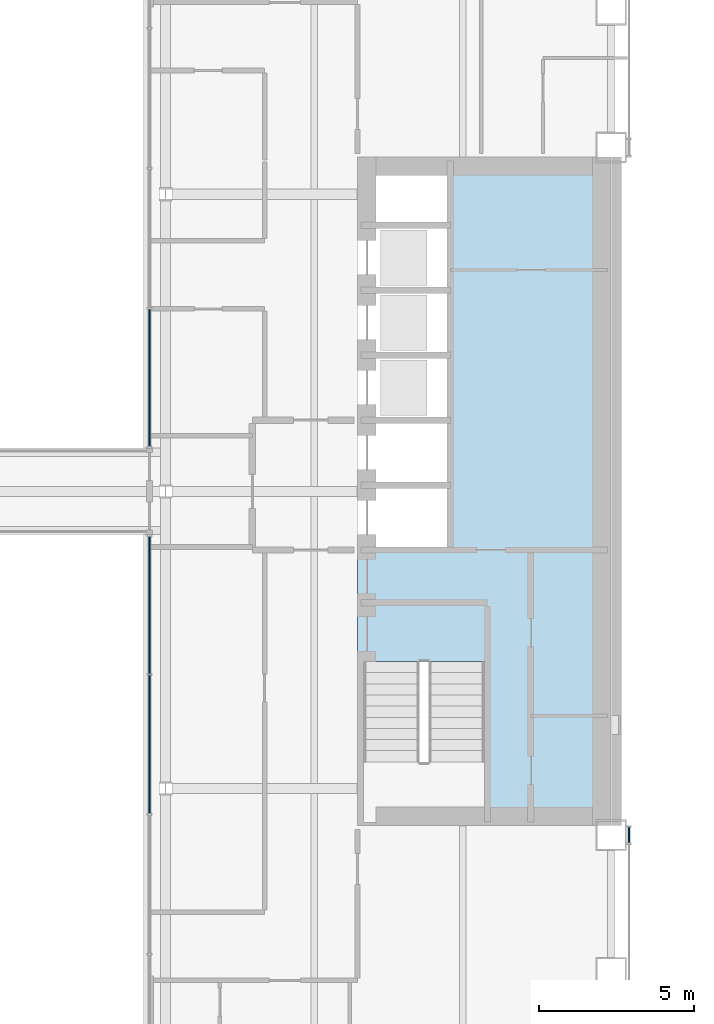
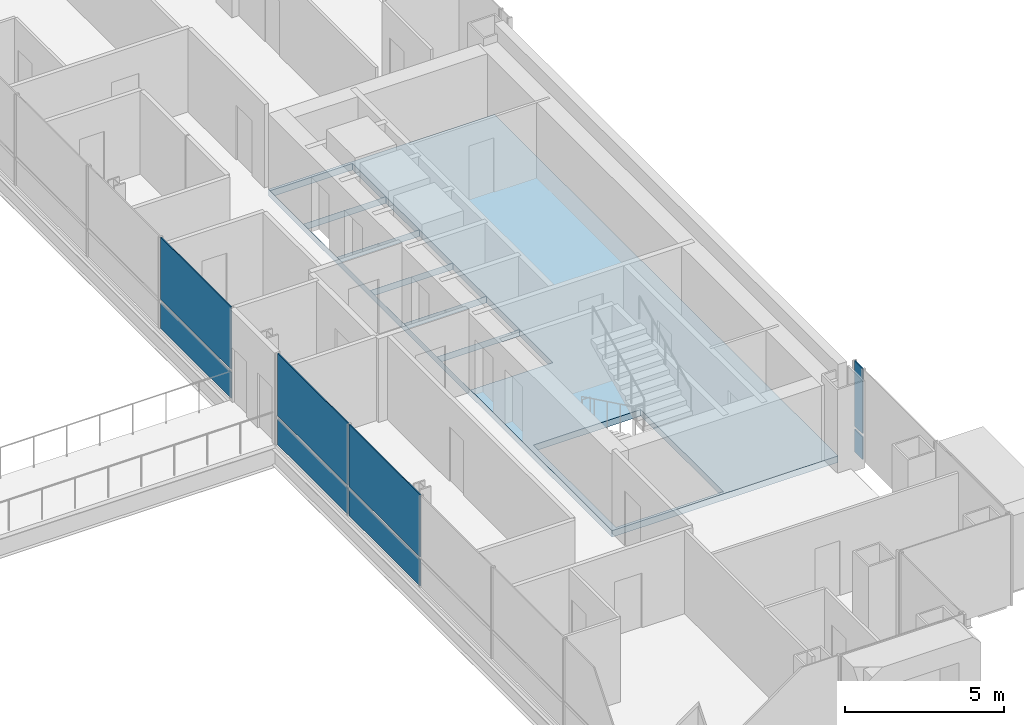
# One storey, part 11 of 21: 8 plates, 1 slab, 3 elements without a shape of their own.
"""IFC4 building model written with IfcOpenShell, lengths in metres."""

from ifc_helpers import new_model, si_unit, direction, frame, origin, origin_2d, place, context, subcontext, project, spatial, polyline, rectangle, outline, extrude, material, layer, layer_set, type_object, element, aggregate, save


model = new_model("IFC4")

# Units and contexts
model_context = context("Model", 3, precision=1e-05, world=origin(), true_north=direction((0.0, 1.0)))
body_context = subcontext(model_context, "Body", "Model", "MODEL_VIEW")
ifc_project = project(units=[si_unit("LENGTHUNIT", "METRE"), si_unit("AREAUNIT", "SQUARE_METRE"), si_unit("VOLUMEUNIT", "CUBIC_METRE"), si_unit("PLANEANGLEUNIT", "RADIAN"), si_unit("MASSUNIT", "GRAM", prefix="KILO")], contexts=[model_context])

# Site, building, storey
site_placement = place(None, origin())
site = spatial("IfcSite", under=ifc_project, at=site_placement, CompositionType="ELEMENT")
building_placement = place(site_placement, origin())
building = spatial("IfcBuilding", under=site, at=building_placement, Name="Cobrizo Arcos Hotel Tower", CompositionType="ELEMENT")
storey_placement = place(building_placement, frame((0.0, 0.0, 81.0)))
storey = spatial("IfcBuildingStorey", under=building, at=storey_placement, Name="L19", CompositionType="ELEMENT", Elevation=81.0)

# Curtain wall, plates
ifc_material_1 = material(Name="Aluminium 6063-T6 anodised bronze", Category="aluminium")
curtain_wall_type_1 = type_object("IfcCurtainWallType", Name="CW-A guest facade", PredefinedType="NOTDEFINED", material=ifc_material_1)
curtain_wall_1_placement = place(storey_placement, origin())
curtain_wall_1 = element("IfcCurtainWall", 1, at=curtain_wall_1_placement, inside=storey, type_object=curtain_wall_type_1, Name="CW-A L19 E face", PredefinedType="NOTDEFINED")
ifc_material_2 = material(Name="Glass clear laminated low-e", Category="glass")
ifc_layer_1 = layer(ifc_material_2, 0.0400390625)
ifc_layer_set_1 = layer_set([ifc_layer_1], Name="CW-A glass panel")
plate_type_1 = type_object("IfcPlateType", Name="CW-A glass panel", PredefinedType="CURTAIN_PANEL", material=ifc_layer_set_1)
plate_1_placement = place(storey_placement, frame((24.574951171875, -11.109375, 0.990234375), z_axis=(0.0, 0.0, 1.0), x_axis=(0.0, 1.0, 0.0)))
plate_1 = element("IfcPlate", 2, at=plate_1_placement, type_object=plate_type_1, Name="CW-A glass panel 791", PredefinedType="CURTAIN_PANEL", context=body_context, shape_type="SweptSolid", body=[
    extrude(rectangle(XDim=0.498779296875, YDim=0.0400390625, at=origin_2d()), origin(), (0.0, 0.0, 1.0), 2.510009765625),
])
ifc_material_3 = material(Name="Aluminium composite panel pale metal", Category="aluminium")
ifc_layer_2 = layer(ifc_material_3, 0.0400390625)
ifc_layer_set_2 = layer_set([ifc_layer_2], Name="CW-A spandrel panel")
plate_type_2 = type_object("IfcPlateType", Name="CW-A spandrel panel", PredefinedType="CURTAIN_PANEL", material=ifc_layer_set_2)
plate_2_placement = place(storey_placement, frame((24.574951171875, -11.109375, 0.0), z_axis=(0.0, 0.0, 1.0), x_axis=(0.0, 1.0, 0.0)))
plate_2 = element("IfcPlate", 3, at=plate_2_placement, type_object=plate_type_2, Name="CW-A spandrel panel 791", PredefinedType="CURTAIN_PANEL", context=body_context, shape_type="SweptSolid", body=[
    extrude(rectangle(XDim=0.498779296875, YDim=0.0400390625, at=origin_2d()), origin(), (0.0, 0.0, 1.0), 0.8701171875),
])
aggregate(curtain_wall_1, [plate_2, plate_1])

curtain_wall_type_2 = type_object("IfcCurtainWallType", Name="CW-F void screen", PredefinedType="NOTDEFINED", material=ifc_material_1)
curtain_wall_2_placement = place(storey_placement, origin())
curtain_wall_2 = element("IfcCurtainWall", 4, at=curtain_wall_2_placement, inside=storey, type_object=curtain_wall_type_2, Name="CW-F L19 void screen A", PredefinedType="NOTDEFINED")
ifc_layer_3 = layer(ifc_material_2, 0.0400390625)
ifc_layer_set_3 = layer_set([ifc_layer_3], Name="CW-F glass panel")
plate_type_3 = type_object("IfcPlateType", Name="CW-F glass panel", PredefinedType="CURTAIN_PANEL", material=ifc_layer_set_3)
plate_3_placement = place(storey_placement, frame((9.074951171875, -8.179931640625, 0.0), z_axis=(0.0, 0.0, 1.0), x_axis=(0.0, 1.0, 0.0)))
plate_3 = element("IfcPlate", 5, at=plate_3_placement, type_object=plate_type_3, Name="CW-F glass panel 2551", PredefinedType="CURTAIN_PANEL", context=body_context, shape_type="SweptSolid", body=[
    extrude(rectangle(XDim=4.4599609375, YDim=0.0400390625, at=origin_2d()), origin(), (0.0, 0.0, 1.0), 0.989990234375),
])
plate_4_placement = place(storey_placement, frame((9.074951171875, -8.179931640625, 1.10986328125), z_axis=(0.0, 0.0, 1.0), x_axis=(0.0, 1.0, 0.0)))
plate_4 = element("IfcPlate", 6, at=plate_4_placement, type_object=plate_type_3, Name="CW-F glass panel 2551", PredefinedType="CURTAIN_PANEL", context=body_context, shape_type="SweptSolid", body=[
    extrude(rectangle(XDim=4.4599609375, YDim=0.0400390625, at=origin_2d()), origin(), (0.0, 0.0, 1.0), 2.389892578125),
])
plate_5_placement = place(storey_placement, frame((9.074951171875, -3.675048828125, 0.0), z_axis=(0.0, 0.0, 1.0), x_axis=(0.0, 1.0, 0.0)))
plate_5 = element("IfcPlate", 7, at=plate_5_placement, type_object=plate_type_3, Name="CW-F glass panel 2552", PredefinedType="CURTAIN_PANEL", context=body_context, shape_type="SweptSolid", body=[
    extrude(rectangle(XDim=4.429931640625, YDim=0.0400390625, at=origin_2d()), origin(), (0.0, 0.0, 1.0), 0.989990234375),
])
plate_6_placement = place(storey_placement, frame((9.074951171875, -3.675048828125, 1.10986328125), z_axis=(0.0, 0.0, 1.0), x_axis=(0.0, 1.0, 0.0)))
plate_6 = element("IfcPlate", 8, at=plate_6_placement, type_object=plate_type_3, Name="CW-F glass panel 2552", PredefinedType="CURTAIN_PANEL", context=body_context, shape_type="SweptSolid", body=[
    extrude(rectangle(XDim=4.429931640625, YDim=0.0400390625, at=origin_2d()), origin(), (0.0, 0.0, 1.0), 2.389892578125),
])
aggregate(curtain_wall_2, [plate_3, plate_4, plate_5, plate_6])

curtain_wall_3_placement = place(storey_placement, origin())
curtain_wall_3 = element("IfcCurtainWall", 9, at=curtain_wall_3_placement, inside=storey, type_object=curtain_wall_type_2, Name="CW-F L19 void screen A", PredefinedType="NOTDEFINED")
plate_7_placement = place(storey_placement, frame((9.074951171875, 3.675048828125, 0.0), z_axis=(0.0, 0.0, 1.0), x_axis=(0.0, 1.0, 0.0)))
plate_7 = element("IfcPlate", 10, at=plate_7_placement, type_object=plate_type_3, Name="CW-F glass panel 2553", PredefinedType="CURTAIN_PANEL", context=body_context, shape_type="SweptSolid", body=[
    extrude(rectangle(XDim=4.429931640625, YDim=0.0400390625, at=origin_2d()), origin(), (0.0, 0.0, 1.0), 0.989990234375),
])
plate_8_placement = place(storey_placement, frame((9.074951171875, 3.675048828125, 1.10986328125), z_axis=(0.0, 0.0, 1.0), x_axis=(0.0, 1.0, 0.0)))
plate_8 = element("IfcPlate", 11, at=plate_8_placement, type_object=plate_type_3, Name="CW-F glass panel 2553", PredefinedType="CURTAIN_PANEL", context=body_context, shape_type="SweptSolid", body=[
    extrude(rectangle(XDim=4.429931640625, YDim=0.0400390625, at=origin_2d()), origin(), (0.0, 0.0, 1.0), 2.389892578125),
])
aggregate(curtain_wall_3, [plate_7, plate_8])

# Slab
ifc_material_4 = material(Name="Concrete f'c 60 MPa", Category="concrete")
ifc_layer_4 = layer(ifc_material_4, 0.25)
ifc_layer_set_4 = layer_set([ifc_layer_4], Name="RC core floor slab 250 f'c 60")
slab_type = type_object("IfcSlabType", Name="RC core floor slab 250 f'c 60", PredefinedType="FLOOR", material=ifc_layer_set_4)
slab_placement = place(storey_placement, frame((0.0, 0.0, -0.25)))
element("IfcSlab", 12, at=slab_placement, inside=storey, type_object=slab_type, Name="Core floor slab CS3, east core, L19", PredefinedType="FLOOR", context=body_context, shape_type="SweptSolid", body=[
    extrude(outline(polyline([(15.800048828125, 10.800048828125), (24.0, 10.800048828125), (24.0, -10.800048828125), (15.800048828125, -10.800048828125), (15.800048828125, 10.800048828125)]), holes=[polyline([(19.89794921875, -10.697998046875), (19.89794921875, -5.501953125), (16.001953125, -5.501953125), (16.001953125, -10.697998046875), (19.89794921875, -10.697998046875)]), polyline([(15.802001953125, 0.197998046875), (15.802001953125, -1.89794921875), (18.798095703125, -1.89794921875), (18.798095703125, 0.197998046875), (15.802001953125, 0.197998046875)]), polyline([(18.798095703125, 2.298095703125), (15.802001953125, 2.298095703125), (15.802001953125, 0.201904296875), (18.798095703125, 0.201904296875), (18.798095703125, 2.298095703125)]), polyline([(18.798095703125, 4.39794921875), (15.802001953125, 4.39794921875), (15.802001953125, 2.302001953125), (18.798095703125, 2.302001953125), (18.798095703125, 4.39794921875)]), polyline([(15.802001953125, 6.498046875), (15.802001953125, 4.402099609375), (18.798095703125, 4.402099609375), (18.798095703125, 6.498046875), (15.802001953125, 6.498046875)]), polyline([(18.798095703125, 8.597900390625), (15.802001953125, 8.597900390625), (15.802001953125, 6.501953125), (18.798095703125, 6.501953125), (18.798095703125, 8.597900390625)]), polyline([(18.798095703125, 10.697998046875), (15.802001953125, 10.697998046875), (15.802001953125, 8.60205078125), (18.798095703125, 8.60205078125), (18.798095703125, 10.697998046875)])]), origin(), (0.0, 0.0, 1.0), 0.25),
])

save(model, "model.ifc")
